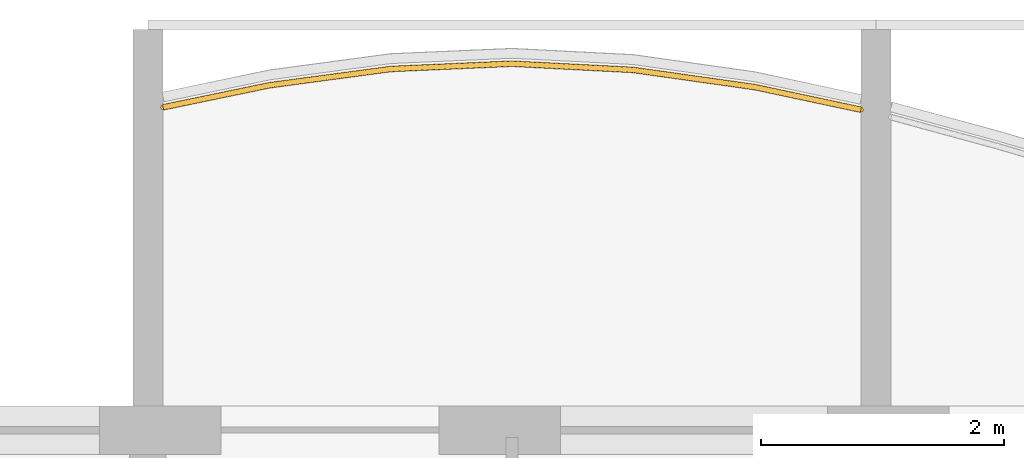
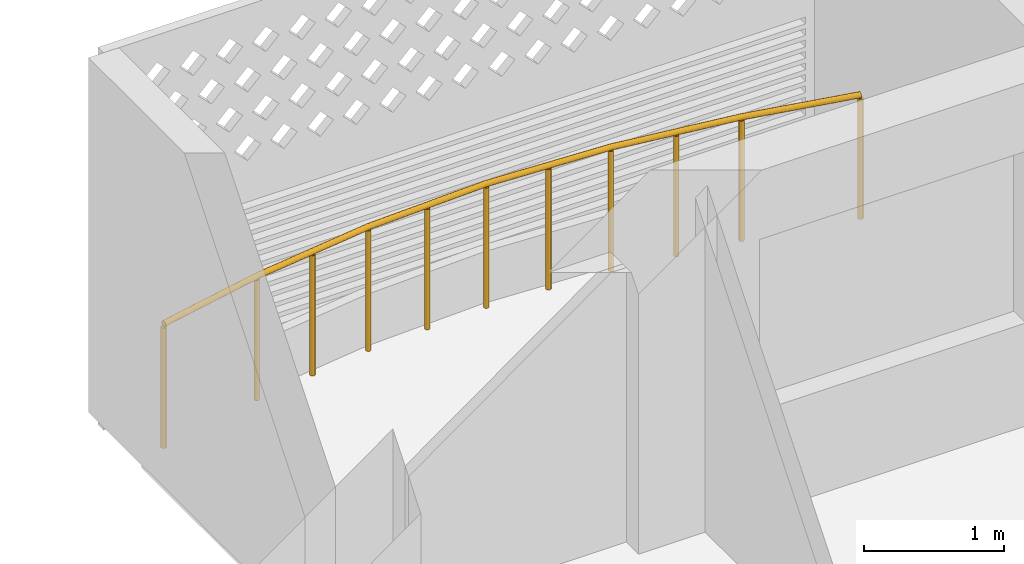
# One storey, part 23 of 32: 1 railing.
"""IFC4 building model written with IfcOpenShell, lengths in metres."""

from ifc_helpers import new_model, si_unit, direction, frame, origin, origin_2d, place, context, subcontext, project, spatial, circle, extrude, material, type_object, element, save


model = new_model("IFC4")

# Units and contexts
model_context = context("Model", 3, precision=1e-05, world=origin(), true_north=direction((0.0, 1.0)))
body_context = subcontext(model_context, "Body", "Model", "MODEL_VIEW")
ifc_project = project(units=[si_unit("LENGTHUNIT", "METRE"), si_unit("AREAUNIT", "SQUARE_METRE"), si_unit("VOLUMEUNIT", "CUBIC_METRE"), si_unit("PLANEANGLEUNIT", "RADIAN"), si_unit("MASSUNIT", "GRAM", prefix="KILO")], contexts=[model_context])

# Site, building, storey
site_placement = place(None, origin())
site = spatial("IfcSite", under=ifc_project, at=site_placement, CompositionType="ELEMENT")
building_placement = place(site_placement, origin())
building = spatial("IfcBuilding", under=site, at=building_placement, Name="Poui Terraces", CompositionType="ELEMENT")
storey_placement = place(building_placement, frame((0.0, 0.0, 155.39990234375)))
storey = spatial("IfcBuildingStorey", under=building, at=storey_placement, Name="L43", CompositionType="ELEMENT", Elevation=155.39990234375)

# Railing
ifc_material = material(Name="Painted steel fretwork", Category="steel")
railing_type = type_object("IfcRailingType", Name="BALCONY GUARD 1100", PredefinedType="GUARDRAIL", material=ifc_material)
railing_placement = place(storey_placement, frame((42.125, 45.060546875, 0.0)))
element("IfcRailing", 1, at=railing_placement, inside=storey, type_object=railing_type, Name="BALCONY GUARD", PredefinedType="GUARDRAIL", context=body_context, shape_type="SweptSolid", body=[
    extrude(circle(Radius=0.02392578125, at=origin_2d()), frame((0.0, 0.0, 1.076171875), z_axis=(0.979179968629, 0.202994061577, 0.0), x_axis=(-0.202994061577, 0.979179968629, 0.0)), (0.0, 0.0, 1.0), 0.8935546875),
    extrude(circle(Radius=0.02392578125, at=origin_2d()), frame((0.875, 0.181396484375, 1.076171875), z_axis=(0.991104904979, 0.133082934018, 0.0), x_axis=(-0.133082934018, 0.991104904979, 0.0)), (0.0, 0.0, 1.0), 1.009033203125),
    extrude(circle(Radius=0.02392578125, at=origin_2d()), frame((1.875, 0.315673828125, 1.076171875), z_axis=(0.999046469355, 0.043659501468, 0.0), x_axis=(-0.043659501468, 0.999046469355, 0.0)), (0.0, 0.0, 1.0), 1.0009765625),
    extrude(circle(Radius=0.02392578125, at=origin_2d()), frame((2.875, 0.359375, 1.076171875), z_axis=(0.998675805692, -0.051445457764, 0.0), x_axis=(0.051445457764, 0.998675805692, 0.0)), (0.0, 0.0, 1.0), 1.001220703125),
    extrude(circle(Radius=0.02392578125, at=origin_2d()), frame((3.875, 0.307861328125, 1.076171875), z_axis=(0.99015631817, -0.13996594439, 0.0), x_axis=(0.13996594439, 0.99015631817, 0.0)), (0.0, 0.0, 1.0), 1.010009765625),
    extrude(circle(Radius=0.02392578125, at=origin_2d()), frame((4.875, 0.16650390625, 1.076171875), z_axis=(0.978081102003, -0.208224297106, 0.0), x_axis=(0.208224297106, 0.978081102003, 0.0)), (0.0, 0.0, 1.0), 0.89453125),
    extrude(circle(Radius=0.02099609375, at=origin_2d()), origin(), (0.0, 0.0, 1.0), 1.052001953125),
    extrude(circle(Radius=0.02099609375, at=origin_2d()), frame((0.875, 0.181396484375, 0.0)), (0.0, 0.0, 1.0), 1.052001953125),
    extrude(circle(Radius=0.02099609375, at=origin_2d()), frame((1.375, 0.24853515625, 0.0)), (0.0, 0.0, 1.0), 1.052001953125),
    extrude(circle(Radius=0.02099609375, at=origin_2d()), frame((1.875, 0.315673828125, 0.0)), (0.0, 0.0, 1.0), 1.052001953125),
    extrude(circle(Radius=0.02099609375, at=origin_2d()), frame((2.375, 0.33740234375, 0.0)), (0.0, 0.0, 1.0), 1.052001953125),
    extrude(circle(Radius=0.02099609375, at=origin_2d()), frame((2.875, 0.359375, 0.0)), (0.0, 0.0, 1.0), 1.052001953125),
    extrude(circle(Radius=0.02099609375, at=origin_2d()), frame((3.375, 0.33349609375, 0.0)), (0.0, 0.0, 1.0), 1.052001953125),
    extrude(circle(Radius=0.02099609375, at=origin_2d()), frame((3.875, 0.307861328125, 0.0)), (0.0, 0.0, 1.0), 1.052001953125),
    extrude(circle(Radius=0.02099609375, at=origin_2d()), frame((4.375, 0.2373046875, 0.0)), (0.0, 0.0, 1.0), 1.052001953125),
    extrude(circle(Radius=0.02099609375, at=origin_2d()), frame((4.875, 0.16650390625, 0.0)), (0.0, 0.0, 1.0), 1.052001953125),
    extrude(circle(Radius=0.02099609375, at=origin_2d()), frame((5.75, -0.019775390625, 0.0)), (0.0, 0.0, 1.0), 1.052001953125),
])

save(model, "model.ifc")
